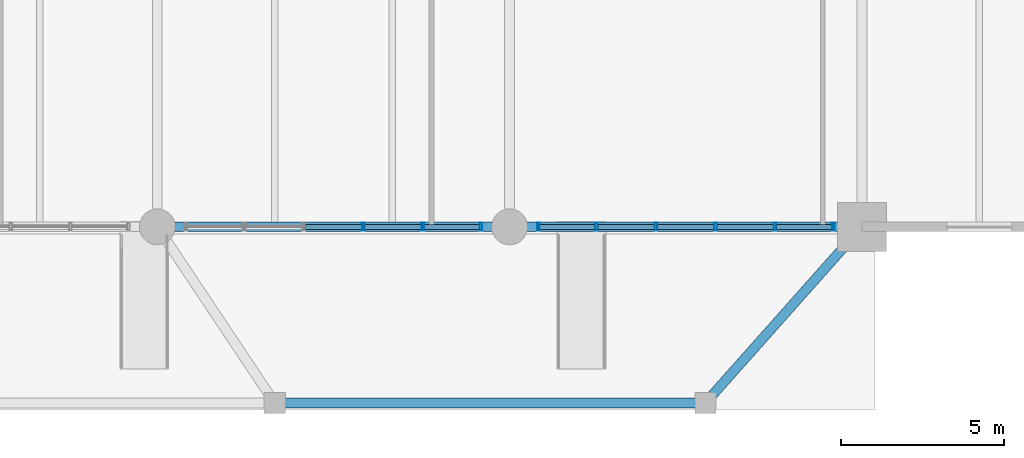
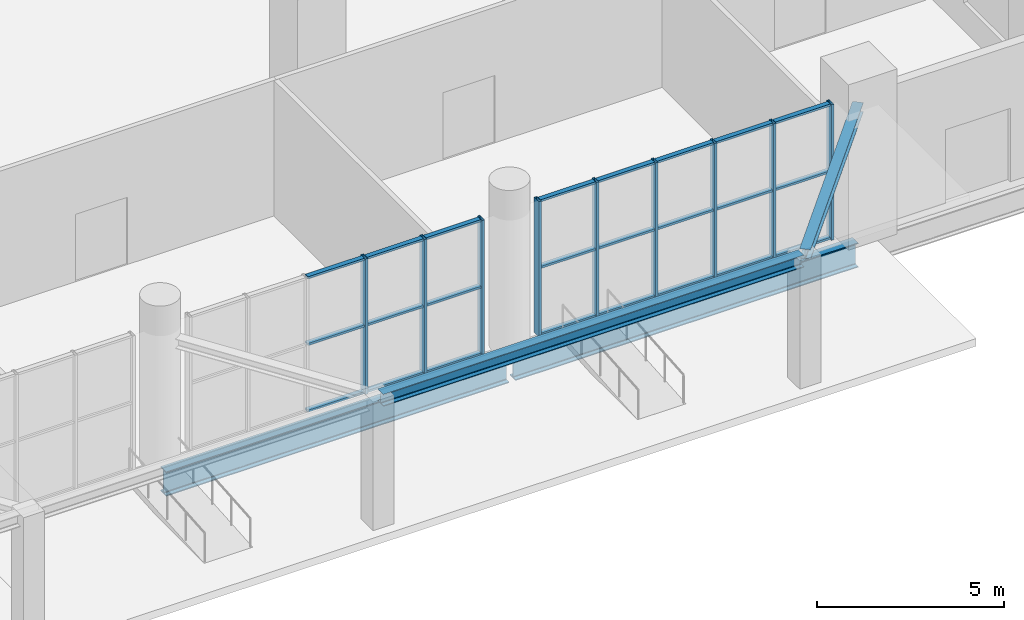
# One storey, part 8 of 22: 33 members, 4 beams, 2 elements without a shape of their own.
"""IFC4 building model written with IfcOpenShell, lengths in metres."""

import ifcopenshell
import ifcopenshell.guid

model = None  # the IFC model being written
_history = None  # IfcOwnerHistory: only IFC2X3 demands one
_inside = {}  # id of a spatial element -> (the spatial element, [elements in it])
_under = {}  # id of a project, library or spatial element -> (it, [spatial elements below it])
_declared = {}  # id of a project -> (the project, [libraries it declares])
_typed = {}  # id of a type object -> (the type object, [elements of that type])
_made_of = {}  # id of a material, layer set ... -> (it, [elements and type objects made of it])


def new_model(schema):
    """Start an empty IFC model of exactly this schema.

    Asked for "IFC4X3", IfcOpenShell would pick the latest addendum, in which some entities
    have other attributes; the version numbers below select the first issue.
    IFC2X3 requires an IfcOwnerHistory on every rooted entity: one is made here for all.
    """
    global model, _history
    if schema == "IFC4X3":
        model = ifcopenshell.file(schema_version=(4, 3, 0, 0))
    else:
        model = ifcopenshell.file(schema=schema)
    _inside.clear()
    _under.clear()
    _declared.clear()
    _typed.clear()
    _made_of.clear()
    _history = None
    if model.schema == "IFC2X3":
        org = make("IfcOrganization", Name="unknown")
        user = make(
            "IfcPersonAndOrganization",
            ThePerson=make("IfcPerson", FamilyName="unknown"),
            TheOrganization=org,
        )
        app = make(
            "IfcApplication",
            ApplicationDeveloper=org,
            Version="unknown",
            ApplicationFullName="unknown",
            ApplicationIdentifier="unknown",
        )
        _history = make(
            "IfcOwnerHistory",
            OwningUser=user,
            OwningApplication=app,
            ChangeAction="ADDED",
            CreationDate=0,
        )
    return model


def make(cls, **values):
    """One entity of the class cls with the attributes given. An attribute that is None is left unset."""
    return model.create_entity(
        cls, **{name: value for name, value in values.items() if value is not None}
    )


def rooted(cls, **values):
    """An entity with a GlobalId (a new one), such as an element, a storey or a relation."""
    return make(cls, GlobalId=ifcopenshell.guid.new(), OwnerHistory=_history, **values)


def si_unit(unit_type, name, prefix=None):
    """IfcSIUnit, for example si_unit("LENGTHUNIT", "METRE", prefix="MILLI")."""
    return make("IfcSIUnit", UnitType=unit_type, Prefix=prefix, Name=name)


def assignment(units):
    """IfcUnitAssignment: the units of a project."""
    return None if units is None else make("IfcUnitAssignment", Units=units)


def point(xyz):
    """IfcCartesianPoint."""
    return None if xyz is None else make("IfcCartesianPoint", Coordinates=xyz)


def direction(xyz):
    """IfcDirection."""
    return None if xyz is None else make("IfcDirection", DirectionRatios=xyz)


def frame(location, z_axis=None, x_axis=None):
    """IfcAxis2Placement3D, a coordinate frame: its origin and axes. An axis left out is left unset."""
    return make(
        "IfcAxis2Placement3D",
        Location=point(location),
        Axis=direction(z_axis),
        RefDirection=direction(x_axis),
    )


def frame_2d(location, x_axis=None):
    """IfcAxis2Placement2D, a coordinate frame in the plane: its origin and x axis."""
    return make(
        "IfcAxis2Placement2D", Location=point(location), RefDirection=direction(x_axis)
    )


def origin():
    """The frame at (0, 0, 0) with its axes left unset."""
    return frame((0.0, 0.0, 0.0))


def origin_2d():
    """The frame at (0, 0) in the plane with its x axis left unset."""
    return frame_2d((0.0, 0.0))


def place(relative_to, where):
    """IfcLocalPlacement: puts the frame where relative to a parent placement (None: the world)."""
    return make(
        "IfcLocalPlacement", PlacementRelTo=relative_to, RelativePlacement=where
    )


def context(
    kind, dimensions, precision=None, world=None, true_north=None, identifier=None
):
    """IfcGeometricRepresentationContext, for example the 3D "Model" context."""
    return make(
        "IfcGeometricRepresentationContext",
        ContextIdentifier=identifier,
        ContextType=kind,
        CoordinateSpaceDimension=dimensions,
        Precision=precision,
        WorldCoordinateSystem=world,
        TrueNorth=true_north,
    )


def subcontext(parent, identifier, kind, view, scale=None):
    """IfcGeometricRepresentationSubContext, for example "Body" below "Model"."""
    return make(
        "IfcGeometricRepresentationSubContext",
        ContextIdentifier=identifier,
        ContextType=kind,
        ParentContext=parent,
        TargetScale=scale,
        TargetView=view,
    )


def project(units=None, contexts=None):
    """IfcProject with its units and contexts."""
    return rooted(
        "IfcProject",
        Name="project",
        RepresentationContexts=contexts,
        UnitsInContext=assignment(units),
    )


def spatial(cls, under=None, at=None, **own):
    """A site, building, storey or space (cls), placed at a placement, below another one or the project."""
    s = rooted(cls, ObjectPlacement=at, **own)
    if under is not None:
        _under.setdefault(under.id(), (under, []))[1].append(s)
    return s


def profile(cls, at=None, kind="AREA", **sizes):
    """A parametric profile (cls). Its sizes go by their IFC names, for example OverallWidth=200.0."""
    return make(cls, ProfileType=kind, Position=at, **sizes)


def hollow_rectangle(**sizes):
    """IfcRectangleHollowProfileDef."""
    return profile("IfcRectangleHollowProfileDef", **sizes)


def i_section(**sizes):
    """IfcIShapeProfileDef."""
    return profile("IfcIShapeProfileDef", **sizes)


def extrude(swept, where, along, depth):
    """IfcExtrudedAreaSolid: the profile swept, set in the frame where, extruded along a direction by depth."""
    return make(
        "IfcExtrudedAreaSolid",
        SweptArea=swept,
        Position=where,
        ExtrudedDirection=direction(along),
        Depth=depth,
    )


def shape(context_of_items, identifier, shape_type, items):
    """IfcShapeRepresentation: the items that make up one representation, for example the "Body"."""
    return make(
        "IfcShapeRepresentation",
        ContextOfItems=context_of_items,
        RepresentationIdentifier=identifier,
        RepresentationType=shape_type,
        Items=items,
    )


def material(Name=None, Category=None):
    """IfcMaterial."""
    return make("IfcMaterial", Name=Name, Category=Category)


def layer(
    of_material, thickness, ventilated=None, Name=None, Category=None, Priority=None
):
    """IfcMaterialLayer: one layer of a wall or slab, of a material (None: an air gap)."""
    return make(
        "IfcMaterialLayer",
        Material=of_material,
        LayerThickness=thickness,
        IsVentilated=ventilated,
        Name=Name,
        Category=Category,
        Priority=Priority,
    )


def layer_set(layers, Name=None):
    """IfcMaterialLayerSet."""
    return make("IfcMaterialLayerSet", MaterialLayers=layers, LayerSetName=Name)


def material_profile(
    of_material, cross_section, Name=None, Category=None, Priority=None
):
    """IfcMaterialProfile: a cross section and its material."""
    return make(
        "IfcMaterialProfile",
        Name=Name,
        Material=of_material,
        Profile=cross_section,
        Priority=Priority,
        Category=Category,
    )


def profile_set(profiles, Name=None, composite=None):
    """IfcMaterialProfileSet."""
    return make(
        "IfcMaterialProfileSet",
        Name=Name,
        MaterialProfiles=profiles,
        CompositeProfile=composite,
    )


def made_of(thing, what):
    """Note that an element or type object is made of a material, layer set ...; save() writes the relation."""
    if what is not None:
        _made_of.setdefault(what.id(), (what, []))[1].append(thing)
    return thing


def type_object(cls, material=None, **own):
    """A type object (cls), such as IfcWallType, which elements share."""
    return made_of(rooted(cls, **own), material)


def element(
    cls,
    number,
    at=None,
    inside=None,
    cuts=None,
    type_object=None,
    material=None,
    context=None,
    identifier="Body",
    shape_type=None,
    held_by="IfcProductDefinitionShape",
    body=None,
    shapes=None,
    **own,
):
    """One element of the class cls, such as IfcWall. Its Tag is "e" and its number.

    at: its placement. inside: the storey or other place that contains it. cuts: it is an
    opening in that element (IfcRelVoidsElement). A single representation is given by context,
    identifier, shape_type and body (its items); several are given by shapes. held_by: the class
    of the entity that holds the representations. save() writes the other relations.
    """
    e = rooted(cls, Tag="e%d" % number, ObjectPlacement=at, **own)
    if body is not None:
        shapes = [shape(context, identifier, shape_type, body)]
    if shapes is not None:
        e.Representation = make(held_by, Representations=shapes)
    if inside is not None:
        _inside.setdefault(inside.id(), (inside, []))[1].append(e)
    if cuts is not None:
        rooted(
            "IfcRelVoidsElement", RelatingBuildingElement=cuts, RelatedOpeningElement=e
        )
    if type_object is not None:
        _typed.setdefault(type_object.id(), (type_object, []))[1].append(e)
    return made_of(e, material)


def aggregate(whole, parts):
    """IfcRelAggregates: a whole, such as a stair, and the parts it consists of."""
    return rooted("IfcRelAggregates", RelatingObject=whole, RelatedObjects=parts)


def save(model, path):
    """Write the relations noted so far, then the file.

    IfcRelAggregates (storeys below a building ...), IfcRelContainedInSpatialStructure (elements
    in a storey), IfcRelDefinesByType, IfcRelAssociatesMaterial and IfcRelDeclares: one each for
    every whole, place, type object, material and project.
    """
    for whole, parts in _under.values():
        aggregate(whole, parts)
    for where, things in _inside.values():
        rooted(
            "IfcRelContainedInSpatialStructure",
            RelatedElements=things,
            RelatingStructure=where,
        )
    for kind, things in _typed.values():
        rooted("IfcRelDefinesByType", RelatedObjects=things, RelatingType=kind)
    for what, things in _made_of.values():
        rooted("IfcRelAssociatesMaterial", RelatedObjects=things, RelatingMaterial=what)
    for by, libraries in _declared.values():
        rooted("IfcRelDeclares", RelatingContext=by, RelatedDefinitions=libraries)
    model.write(path)


model = new_model("IFC4")

# Units and contexts
model_context = context("Model", 3, precision=1e-05, world=origin(), true_north=direction((0.0, 1.0)))
body_context = subcontext(model_context, "Body", "Model", "MODEL_VIEW")
ifc_project = project(units=[si_unit("LENGTHUNIT", "METRE"), si_unit("AREAUNIT", "SQUARE_METRE"), si_unit("VOLUMEUNIT", "CUBIC_METRE"), si_unit("PLANEANGLEUNIT", "RADIAN"), si_unit("MASSUNIT", "GRAM", prefix="KILO")], contexts=[model_context])

# Site, building, storey
site_placement = place(None, origin())
site = spatial("IfcSite", under=ifc_project, at=site_placement, CompositionType="ELEMENT")
building_placement = place(site_placement, origin())
building = spatial("IfcBuilding", under=site, at=building_placement, Name="Solnavia Interchange Tower", CompositionType="ELEMENT")
storey_placement = place(building_placement, origin())
storey = spatial("IfcBuildingStorey", under=building, at=storey_placement, Name="L00", CompositionType="ELEMENT", Elevation=0.0)

# Beams
ifc_material_1 = material(Name="Steel S460", Category="steel")
ifc_material_profile_1 = material_profile(ifc_material_1, i_section(OverallWidth=0.300048828125, OverallDepth=0.800048828125, WebThickness=0.017578125, FlangeThickness=0.032958984375, FilletRadius=0.030029296875, at=origin_2d()), Name="HEB 800")
ifc_profile_set_1 = profile_set([ifc_material_profile_1], Name="Steel S460")
beam_type_1 = type_object("IfcBeamType", Name="Beam-Girder-HEB800", PredefinedType="BEAM", material=ifc_profile_set_1)
for number, where, z_axis, x_axis, name in (
    (1, (43.300048828125, 0.0, -0.75), (1.0, 0.0, 0.0), (0.0, 1.0, 0.0), "GRD-L00-05 Podium primary girder"),
    (2, (54.10009765625, 0.0, -0.75), (1.0, 0.0, 0.0), (0.0, 1.0, 0.0), "GRD-L00-06 Podium primary girder"),
):
    element("IfcBeam", number, at=place(storey_placement, frame(where, z_axis=z_axis, x_axis=x_axis)), inside=storey, type_object=beam_type_1, Name=name, PredefinedType="BEAM", context=body_context, shape_type="SweptSolid", body=[
        extrude(i_section(OverallWidth=0.300048828125, OverallDepth=0.800048828125, WebThickness=0.017578125, FlangeThickness=0.032958984375, FilletRadius=0.030029296875, at=origin_2d()), origin(), (0.0, 0.0, 1.0), 10.599853515625),
    ])
ifc_material_2 = material(Name="Steel S355", Category="steel")
ifc_material_profile_2 = material_profile(ifc_material_2, i_section(OverallWidth=0.300048828125, OverallDepth=0.31005859375, WebThickness=0.009033203125, FlangeThickness=0.015380859375, FilletRadius=0.027099609375, at=origin_2d()), Name="HEA 320")
ifc_profile_set_2 = profile_set([ifc_material_profile_2], Name="Steel S355")
beam_type_2 = type_object("IfcBeamType", Name="Beam-Primary-HEA320", PredefinedType="BEAM", material=ifc_profile_set_2)
beam_1_placement = place(storey_placement, frame((60.06640625, -5.3251953125, 4.044921875), z_axis=(0.664374624199, 0.747399731549, 0.0), x_axis=(-0.747399731549, 0.664374624199, 0.0)))
element("IfcBeam", 3, at=beam_1_placement, inside=storey, type_object=beam_type_2, Name="GRD-L00-CANT5 Promenade canopy tie beam", PredefinedType="BEAM", context=body_context, shape_type="SweptSolid", body=[
    extrude(i_section(OverallWidth=0.300048828125, OverallDepth=0.31005859375, WebThickness=0.009033203125, FlangeThickness=0.015380859375, FilletRadius=0.027099609375, at=origin_2d()), origin(), (0.0, 0.0, 1.0), 7.02490234375),
])
ifc_material_profile_3 = material_profile(ifc_material_2, i_section(OverallWidth=0.300048828125, OverallDepth=0.389892578125, WebThickness=0.010986328125, FlangeThickness=0.01904296875, FilletRadius=0.027099609375, at=origin_2d()), Name="HEA 400")
ifc_profile_set_3 = profile_set([ifc_material_profile_3], Name="Steel S355")
beam_type_3 = type_object("IfcBeamType", Name="Beam-Primary-HEA400", PredefinedType="BEAM", material=ifc_profile_set_3)
beam_2_placement = place(storey_placement, frame((46.89990234375, -5.39990234375, 4.0048828125), z_axis=(1.0, 0.0, 0.0), x_axis=(0.0, 1.0, 0.0)))
element("IfcBeam", 4, at=beam_2_placement, inside=storey, type_object=beam_type_3, Name="GRD-L00-CAN4 Promenade canopy girder", PredefinedType="BEAM", context=body_context, shape_type="SweptSolid", body=[
    extrude(i_section(OverallWidth=0.300048828125, OverallDepth=0.389892578125, WebThickness=0.010986328125, FlangeThickness=0.01904296875, FilletRadius=0.027099609375, at=origin_2d()), origin(), (0.0, 0.0, 1.0), 13.0),
])

# Curtain wall, members
ifc_material_3 = material(Name="Aluminium Alloy 6063-T6", Category="aluminium")
ifc_layer = layer(ifc_material_3, 0.27001953125)
ifc_layer_set = layer_set([ifc_layer], Name="Aluminium Alloy 6063-T6")
curtain_wall_type = type_object("IfcCurtainWallType", Name="CurtainWall-Podium-CTW1", PredefinedType="NOTDEFINED", material=ifc_layer_set)
curtain_wall_1_placement = place(storey_placement, origin())
curtain_wall_1 = element("IfcCurtainWall", 5, at=curtain_wall_1_placement, inside=storey, type_object=curtain_wall_type, Name="CTW-L00-S04 CTW-1 curtain wall", PredefinedType="NOTDEFINED")
ifc_material_profile_4 = material_profile(ifc_material_3, hollow_rectangle(XDim=0.080078125, YDim=0.25, WallThickness=0.006103515625, at=origin_2d()), Name="ALU 250x80x6")
ifc_profile_set_4 = profile_set([ifc_material_profile_4], Name="Aluminium Alloy 6063-T6")
member_type_1 = type_object("IfcMemberType", Name="CW-Mullion-CWM-1", PredefinedType="MULLION", material=ifc_profile_set_4)
member_1_placement = place(storey_placement, frame((53.1201171875, 0.0, 0.0), z_axis=(0.0, 0.0, 1.0), x_axis=(-1.0, 0.0, 0.0)))
member_1 = element("IfcMember", 6, at=member_1_placement, type_object=member_type_1, Name="CTW-1 mullion 1", PredefinedType="MULLION", context=body_context, shape_type="SweptSolid", body=[
    extrude(hollow_rectangle(XDim=0.080078125, YDim=0.25, WallThickness=0.006103515625, at=origin_2d()), origin(), (0.0, 0.0, 1.0), 4.429931640625),
])
member_2_placement = place(storey_placement, frame((51.3359375, 0.0, 0.0), z_axis=(0.0, 0.0, 1.0), x_axis=(-1.0, 0.0, 0.0)))
member_2 = element("IfcMember", 7, at=member_2_placement, type_object=member_type_1, Name="CTW-1 mullion 2", PredefinedType="MULLION", context=body_context, shape_type="SweptSolid", body=[
    extrude(hollow_rectangle(XDim=0.080078125, YDim=0.25, WallThickness=0.006103515625, at=origin_2d()), origin(), (0.0, 0.0, 1.0), 4.429931640625),
])
member_3_placement = place(storey_placement, frame((49.511962890625, 0.0, 0.0), z_axis=(0.0, 0.0, 1.0), x_axis=(-1.0, 0.0, 0.0)))
member_3 = element("IfcMember", 8, at=member_3_placement, type_object=member_type_1, Name="CTW-1 mullion 3", PredefinedType="MULLION", context=body_context, shape_type="SweptSolid", body=[
    extrude(hollow_rectangle(XDim=0.080078125, YDim=0.25, WallThickness=0.006103515625, at=origin_2d()), origin(), (0.0, 0.0, 1.0), 4.429931640625),
])

curtain_wall_2_placement = place(storey_placement, origin())
curtain_wall_2 = element("IfcCurtainWall", 9, at=curtain_wall_2_placement, inside=storey, type_object=curtain_wall_type, Name="CTW-L00-S05 CTW-1 curtain wall", PredefinedType="NOTDEFINED")
member_4_placement = place(storey_placement, frame((63.919921875, 0.0, 0.0), z_axis=(0.0, 0.0, 1.0), x_axis=(-1.0, 0.0, 0.0)))
member_4 = element("IfcMember", 10, at=member_4_placement, type_object=member_type_1, Name="CTW-1 mullion 1", PredefinedType="MULLION", context=body_context, shape_type="SweptSolid", body=[
    extrude(hollow_rectangle(XDim=0.080078125, YDim=0.25, WallThickness=0.006103515625, at=origin_2d()), origin(), (0.0, 0.0, 1.0), 4.429931640625),
])
member_5_placement = place(storey_placement, frame((62.135986328125, 0.0, 0.0), z_axis=(0.0, 0.0, 1.0), x_axis=(-1.0, 0.0, 0.0)))
member_5 = element("IfcMember", 11, at=member_5_placement, type_object=member_type_1, Name="CTW-1 mullion 2", PredefinedType="MULLION", context=body_context, shape_type="SweptSolid", body=[
    extrude(hollow_rectangle(XDim=0.080078125, YDim=0.25, WallThickness=0.006103515625, at=origin_2d()), origin(), (0.0, 0.0, 1.0), 4.429931640625),
])
member_6_placement = place(storey_placement, frame((60.31201171875, 0.0, 0.0), z_axis=(0.0, 0.0, 1.0), x_axis=(-1.0, 0.0, 0.0)))
member_6 = element("IfcMember", 12, at=member_6_placement, type_object=member_type_1, Name="CTW-1 mullion 3", PredefinedType="MULLION", context=body_context, shape_type="SweptSolid", body=[
    extrude(hollow_rectangle(XDim=0.080078125, YDim=0.25, WallThickness=0.006103515625, at=origin_2d()), origin(), (0.0, 0.0, 1.0), 4.429931640625),
])
member_7_placement = place(storey_placement, frame((58.488037109375, 0.0, 0.0), z_axis=(0.0, 0.0, 1.0), x_axis=(-1.0, 0.0, 0.0)))
member_7 = element("IfcMember", 13, at=member_7_placement, type_object=member_type_1, Name="CTW-1 mullion 4", PredefinedType="MULLION", context=body_context, shape_type="SweptSolid", body=[
    extrude(hollow_rectangle(XDim=0.080078125, YDim=0.25, WallThickness=0.006103515625, at=origin_2d()), origin(), (0.0, 0.0, 1.0), 4.429931640625),
])
member_8_placement = place(storey_placement, frame((56.6640625, 0.0, 0.0), z_axis=(0.0, 0.0, 1.0), x_axis=(-1.0, 0.0, 0.0)))
member_8 = element("IfcMember", 14, at=member_8_placement, type_object=member_type_1, Name="CTW-1 mullion 5", PredefinedType="MULLION", context=body_context, shape_type="SweptSolid", body=[
    extrude(hollow_rectangle(XDim=0.080078125, YDim=0.25, WallThickness=0.006103515625, at=origin_2d()), origin(), (0.0, 0.0, 1.0), 4.429931640625),
])
member_9_placement = place(storey_placement, frame((54.8798828125, 0.0, 0.0), z_axis=(0.0, 0.0, 1.0), x_axis=(-1.0, 0.0, 0.0)))
member_9 = element("IfcMember", 15, at=member_9_placement, type_object=member_type_1, Name="CTW-1 mullion 6", PredefinedType="MULLION", context=body_context, shape_type="SweptSolid", body=[
    extrude(hollow_rectangle(XDim=0.080078125, YDim=0.25, WallThickness=0.006103515625, at=origin_2d()), origin(), (0.0, 0.0, 1.0), 4.429931640625),
])

# Member
ifc_material_profile_5 = material_profile(ifc_material_3, hollow_rectangle(XDim=0.070068359375, YDim=0.14990234375, WallThickness=0.00439453125, at=origin_2d()), Name="ALU 150x70x4.5")
ifc_profile_set_5 = profile_set([ifc_material_profile_5], Name="Aluminium Alloy 6063-T6")
member_type_2 = type_object("IfcMemberType", Name="CW-Transom-CWT-1", PredefinedType="USERDEFINED", material=ifc_profile_set_5)
member_10_placement = place(storey_placement, frame((53.080078125, 0.0, 0.034912109375), z_axis=(-1.0, 0.0, 0.0), x_axis=(0.0, 0.0, 1.0)))
member_10 = element("IfcMember", 16, at=member_10_placement, type_object=member_type_2, Name="CTW-1 transom 1.1", ObjectType="TRANSOM", PredefinedType="USERDEFINED", context=body_context, shape_type="SweptSolid", body=[
    extrude(hollow_rectangle(XDim=0.070068359375, YDim=0.14990234375, WallThickness=0.00439453125, at=origin_2d()), origin(), (0.0, 0.0, 1.0), 1.7041015625),
])

member_11_placement = place(storey_placement, frame((53.080078125, 0.0, 2.215087890625), z_axis=(-1.0, 0.0, 0.0), x_axis=(0.0, 0.0, 1.0)))
member_11 = element("IfcMember", 17, at=member_11_placement, type_object=member_type_2, Name="CTW-1 transom 1.2", ObjectType="TRANSOM", PredefinedType="USERDEFINED", context=body_context, shape_type="SweptSolid", body=[
    extrude(hollow_rectangle(XDim=0.070068359375, YDim=0.14990234375, WallThickness=0.00439453125, at=origin_2d()), origin(), (0.0, 0.0, 1.0), 1.7041015625),
])

member_12_placement = place(storey_placement, frame((53.080078125, 0.0, 4.39501953125), z_axis=(-1.0, 0.0, 0.0), x_axis=(0.0, 0.0, 1.0)))
member_12 = element("IfcMember", 18, at=member_12_placement, type_object=member_type_2, Name="CTW-1 transom 1.3", ObjectType="TRANSOM", PredefinedType="USERDEFINED", context=body_context, shape_type="SweptSolid", body=[
    extrude(hollow_rectangle(XDim=0.070068359375, YDim=0.14990234375, WallThickness=0.00439453125, at=origin_2d()), origin(), (0.0, 0.0, 1.0), 1.7041015625),
])

member_13_placement = place(storey_placement, frame((51.2958984375, 0.0, 0.034912109375), z_axis=(-1.0, 0.0, 0.0), x_axis=(0.0, 0.0, 1.0)))
member_13 = element("IfcMember", 19, at=member_13_placement, type_object=member_type_2, Name="CTW-1 transom 2.1", ObjectType="TRANSOM", PredefinedType="USERDEFINED", context=body_context, shape_type="SweptSolid", body=[
    extrude(hollow_rectangle(XDim=0.070068359375, YDim=0.14990234375, WallThickness=0.00439453125, at=origin_2d()), origin(), (0.0, 0.0, 1.0), 1.743896484375),
])

member_14_placement = place(storey_placement, frame((51.2958984375, 0.0, 2.215087890625), z_axis=(-1.0, 0.0, 0.0), x_axis=(0.0, 0.0, 1.0)))
member_14 = element("IfcMember", 20, at=member_14_placement, type_object=member_type_2, Name="CTW-1 transom 2.2", ObjectType="TRANSOM", PredefinedType="USERDEFINED", context=body_context, shape_type="SweptSolid", body=[
    extrude(hollow_rectangle(XDim=0.070068359375, YDim=0.14990234375, WallThickness=0.00439453125, at=origin_2d()), origin(), (0.0, 0.0, 1.0), 1.743896484375),
])

member_15_placement = place(storey_placement, frame((51.2958984375, 0.0, 4.39501953125), z_axis=(-1.0, 0.0, 0.0), x_axis=(0.0, 0.0, 1.0)))
member_15 = element("IfcMember", 21, at=member_15_placement, type_object=member_type_2, Name="CTW-1 transom 2.3", ObjectType="TRANSOM", PredefinedType="USERDEFINED", context=body_context, shape_type="SweptSolid", body=[
    extrude(hollow_rectangle(XDim=0.070068359375, YDim=0.14990234375, WallThickness=0.00439453125, at=origin_2d()), origin(), (0.0, 0.0, 1.0), 1.743896484375),
])

member_16_placement = place(storey_placement, frame((49.471923828125, 0.0, 0.034912109375), z_axis=(-1.0, 0.0, 0.0), x_axis=(0.0, 0.0, 1.0)))
member_16 = element("IfcMember", 22, at=member_16_placement, type_object=member_type_2, Name="CTW-1 transom 3.1", ObjectType="TRANSOM", PredefinedType="USERDEFINED", context=body_context, shape_type="SweptSolid", body=[
    extrude(hollow_rectangle(XDim=0.070068359375, YDim=0.14990234375, WallThickness=0.00439453125, at=origin_2d()), origin(), (0.0, 0.0, 1.0), 1.743896484375),
])

member_17_placement = place(storey_placement, frame((49.471923828125, 0.0, 2.215087890625), z_axis=(-1.0, 0.0, 0.0), x_axis=(0.0, 0.0, 1.0)))
member_17 = element("IfcMember", 23, at=member_17_placement, type_object=member_type_2, Name="CTW-1 transom 3.2", ObjectType="TRANSOM", PredefinedType="USERDEFINED", context=body_context, shape_type="SweptSolid", body=[
    extrude(hollow_rectangle(XDim=0.070068359375, YDim=0.14990234375, WallThickness=0.00439453125, at=origin_2d()), origin(), (0.0, 0.0, 1.0), 1.743896484375),
])

member_18_placement = place(storey_placement, frame((49.471923828125, 0.0, 4.39501953125), z_axis=(-1.0, 0.0, 0.0), x_axis=(0.0, 0.0, 1.0)))
member_18 = element("IfcMember", 24, at=member_18_placement, type_object=member_type_2, Name="CTW-1 transom 3.3", ObjectType="TRANSOM", PredefinedType="USERDEFINED", context=body_context, shape_type="SweptSolid", body=[
    extrude(hollow_rectangle(XDim=0.070068359375, YDim=0.14990234375, WallThickness=0.00439453125, at=origin_2d()), origin(), (0.0, 0.0, 1.0), 1.743896484375),
])

aggregate(curtain_wall_1, [member_1, member_2, member_3, member_10, member_11, member_12, member_13, member_14, member_15, member_16, member_17, member_18])

member_19_placement = place(storey_placement, frame((63.8798828125, 0.0, 0.034912109375), z_axis=(-1.0, 0.0, 0.0), x_axis=(0.0, 0.0, 1.0)))
member_19 = element("IfcMember", 25, at=member_19_placement, type_object=member_type_2, Name="CTW-1 transom 1.1", ObjectType="TRANSOM", PredefinedType="USERDEFINED", context=body_context, shape_type="SweptSolid", body=[
    extrude(hollow_rectangle(XDim=0.070068359375, YDim=0.14990234375, WallThickness=0.00439453125, at=origin_2d()), origin(), (0.0, 0.0, 1.0), 1.703857421875),
])

member_20_placement = place(storey_placement, frame((63.8798828125, 0.0, 2.215087890625), z_axis=(-1.0, 0.0, 0.0), x_axis=(0.0, 0.0, 1.0)))
member_20 = element("IfcMember", 26, at=member_20_placement, type_object=member_type_2, Name="CTW-1 transom 1.2", ObjectType="TRANSOM", PredefinedType="USERDEFINED", context=body_context, shape_type="SweptSolid", body=[
    extrude(hollow_rectangle(XDim=0.070068359375, YDim=0.14990234375, WallThickness=0.00439453125, at=origin_2d()), origin(), (0.0, 0.0, 1.0), 1.703857421875),
])

member_21_placement = place(storey_placement, frame((63.8798828125, 0.0, 4.39501953125), z_axis=(-1.0, 0.0, 0.0), x_axis=(0.0, 0.0, 1.0)))
member_21 = element("IfcMember", 27, at=member_21_placement, type_object=member_type_2, Name="CTW-1 transom 1.3", ObjectType="TRANSOM", PredefinedType="USERDEFINED", context=body_context, shape_type="SweptSolid", body=[
    extrude(hollow_rectangle(XDim=0.070068359375, YDim=0.14990234375, WallThickness=0.00439453125, at=origin_2d()), origin(), (0.0, 0.0, 1.0), 1.703857421875),
])

member_22_placement = place(storey_placement, frame((62.095947265625, 0.0, 0.034912109375), z_axis=(-1.0, 0.0, 0.0), x_axis=(0.0, 0.0, 1.0)))
member_22 = element("IfcMember", 28, at=member_22_placement, type_object=member_type_2, Name="CTW-1 transom 2.1", ObjectType="TRANSOM", PredefinedType="USERDEFINED", context=body_context, shape_type="SweptSolid", body=[
    extrude(hollow_rectangle(XDim=0.070068359375, YDim=0.14990234375, WallThickness=0.00439453125, at=origin_2d()), origin(), (0.0, 0.0, 1.0), 1.743896484375),
])

member_23_placement = place(storey_placement, frame((62.095947265625, 0.0, 2.215087890625), z_axis=(-1.0, 0.0, 0.0), x_axis=(0.0, 0.0, 1.0)))
member_23 = element("IfcMember", 29, at=member_23_placement, type_object=member_type_2, Name="CTW-1 transom 2.2", ObjectType="TRANSOM", PredefinedType="USERDEFINED", context=body_context, shape_type="SweptSolid", body=[
    extrude(hollow_rectangle(XDim=0.070068359375, YDim=0.14990234375, WallThickness=0.00439453125, at=origin_2d()), origin(), (0.0, 0.0, 1.0), 1.743896484375),
])

member_24_placement = place(storey_placement, frame((62.095947265625, 0.0, 4.39501953125), z_axis=(-1.0, 0.0, 0.0), x_axis=(0.0, 0.0, 1.0)))
member_24 = element("IfcMember", 30, at=member_24_placement, type_object=member_type_2, Name="CTW-1 transom 2.3", ObjectType="TRANSOM", PredefinedType="USERDEFINED", context=body_context, shape_type="SweptSolid", body=[
    extrude(hollow_rectangle(XDim=0.070068359375, YDim=0.14990234375, WallThickness=0.00439453125, at=origin_2d()), origin(), (0.0, 0.0, 1.0), 1.743896484375),
])

member_25_placement = place(storey_placement, frame((60.27197265625, 0.0, 0.034912109375), z_axis=(-1.0, 0.0, 0.0), x_axis=(0.0, 0.0, 1.0)))
member_25 = element("IfcMember", 31, at=member_25_placement, type_object=member_type_2, Name="CTW-1 transom 3.1", ObjectType="TRANSOM", PredefinedType="USERDEFINED", context=body_context, shape_type="SweptSolid", body=[
    extrude(hollow_rectangle(XDim=0.070068359375, YDim=0.14990234375, WallThickness=0.00439453125, at=origin_2d()), origin(), (0.0, 0.0, 1.0), 1.743896484375),
])

member_26_placement = place(storey_placement, frame((60.27197265625, 0.0, 2.215087890625), z_axis=(-1.0, 0.0, 0.0), x_axis=(0.0, 0.0, 1.0)))
member_26 = element("IfcMember", 32, at=member_26_placement, type_object=member_type_2, Name="CTW-1 transom 3.2", ObjectType="TRANSOM", PredefinedType="USERDEFINED", context=body_context, shape_type="SweptSolid", body=[
    extrude(hollow_rectangle(XDim=0.070068359375, YDim=0.14990234375, WallThickness=0.00439453125, at=origin_2d()), origin(), (0.0, 0.0, 1.0), 1.743896484375),
])

member_27_placement = place(storey_placement, frame((60.27197265625, 0.0, 4.39501953125), z_axis=(-1.0, 0.0, 0.0), x_axis=(0.0, 0.0, 1.0)))
member_27 = element("IfcMember", 33, at=member_27_placement, type_object=member_type_2, Name="CTW-1 transom 3.3", ObjectType="TRANSOM", PredefinedType="USERDEFINED", context=body_context, shape_type="SweptSolid", body=[
    extrude(hollow_rectangle(XDim=0.070068359375, YDim=0.14990234375, WallThickness=0.00439453125, at=origin_2d()), origin(), (0.0, 0.0, 1.0), 1.743896484375),
])

member_28_placement = place(storey_placement, frame((58.447998046875, 0.0, 0.034912109375), z_axis=(-1.0, 0.0, 0.0), x_axis=(0.0, 0.0, 1.0)))
member_28 = element("IfcMember", 34, at=member_28_placement, type_object=member_type_2, Name="CTW-1 transom 4.1", ObjectType="TRANSOM", PredefinedType="USERDEFINED", context=body_context, shape_type="SweptSolid", body=[
    extrude(hollow_rectangle(XDim=0.070068359375, YDim=0.14990234375, WallThickness=0.00439453125, at=origin_2d()), origin(), (0.0, 0.0, 1.0), 1.743896484375),
])

member_29_placement = place(storey_placement, frame((58.447998046875, 0.0, 2.215087890625), z_axis=(-1.0, 0.0, 0.0), x_axis=(0.0, 0.0, 1.0)))
member_29 = element("IfcMember", 35, at=member_29_placement, type_object=member_type_2, Name="CTW-1 transom 4.2", ObjectType="TRANSOM", PredefinedType="USERDEFINED", context=body_context, shape_type="SweptSolid", body=[
    extrude(hollow_rectangle(XDim=0.070068359375, YDim=0.14990234375, WallThickness=0.00439453125, at=origin_2d()), origin(), (0.0, 0.0, 1.0), 1.743896484375),
])

member_30_placement = place(storey_placement, frame((58.447998046875, 0.0, 4.39501953125), z_axis=(-1.0, 0.0, 0.0), x_axis=(0.0, 0.0, 1.0)))
member_30 = element("IfcMember", 36, at=member_30_placement, type_object=member_type_2, Name="CTW-1 transom 4.3", ObjectType="TRANSOM", PredefinedType="USERDEFINED", context=body_context, shape_type="SweptSolid", body=[
    extrude(hollow_rectangle(XDim=0.070068359375, YDim=0.14990234375, WallThickness=0.00439453125, at=origin_2d()), origin(), (0.0, 0.0, 1.0), 1.743896484375),
])

member_31_placement = place(storey_placement, frame((56.6240234375, 0.0, 0.034912109375), z_axis=(-1.0, 0.0, 0.0), x_axis=(0.0, 0.0, 1.0)))
member_31 = element("IfcMember", 37, at=member_31_placement, type_object=member_type_2, Name="CTW-1 transom 5.1", ObjectType="TRANSOM", PredefinedType="USERDEFINED", context=body_context, shape_type="SweptSolid", body=[
    extrude(hollow_rectangle(XDim=0.070068359375, YDim=0.14990234375, WallThickness=0.00439453125, at=origin_2d()), origin(), (0.0, 0.0, 1.0), 1.7041015625),
])

member_32_placement = place(storey_placement, frame((56.6240234375, 0.0, 2.215087890625), z_axis=(-1.0, 0.0, 0.0), x_axis=(0.0, 0.0, 1.0)))
member_32 = element("IfcMember", 38, at=member_32_placement, type_object=member_type_2, Name="CTW-1 transom 5.2", ObjectType="TRANSOM", PredefinedType="USERDEFINED", context=body_context, shape_type="SweptSolid", body=[
    extrude(hollow_rectangle(XDim=0.070068359375, YDim=0.14990234375, WallThickness=0.00439453125, at=origin_2d()), origin(), (0.0, 0.0, 1.0), 1.7041015625),
])

member_33_placement = place(storey_placement, frame((56.6240234375, 0.0, 4.39501953125), z_axis=(-1.0, 0.0, 0.0), x_axis=(0.0, 0.0, 1.0)))
member_33 = element("IfcMember", 39, at=member_33_placement, type_object=member_type_2, Name="CTW-1 transom 5.3", ObjectType="TRANSOM", PredefinedType="USERDEFINED", context=body_context, shape_type="SweptSolid", body=[
    extrude(hollow_rectangle(XDim=0.070068359375, YDim=0.14990234375, WallThickness=0.00439453125, at=origin_2d()), origin(), (0.0, 0.0, 1.0), 1.7041015625),
])

aggregate(curtain_wall_2, [member_4, member_5, member_6, member_7, member_8, member_9, member_19, member_20, member_21, member_22, member_23, member_24, member_25, member_26, member_27, member_28, member_29, member_30, member_31, member_32, member_33])

save(model, "model.ifc")
